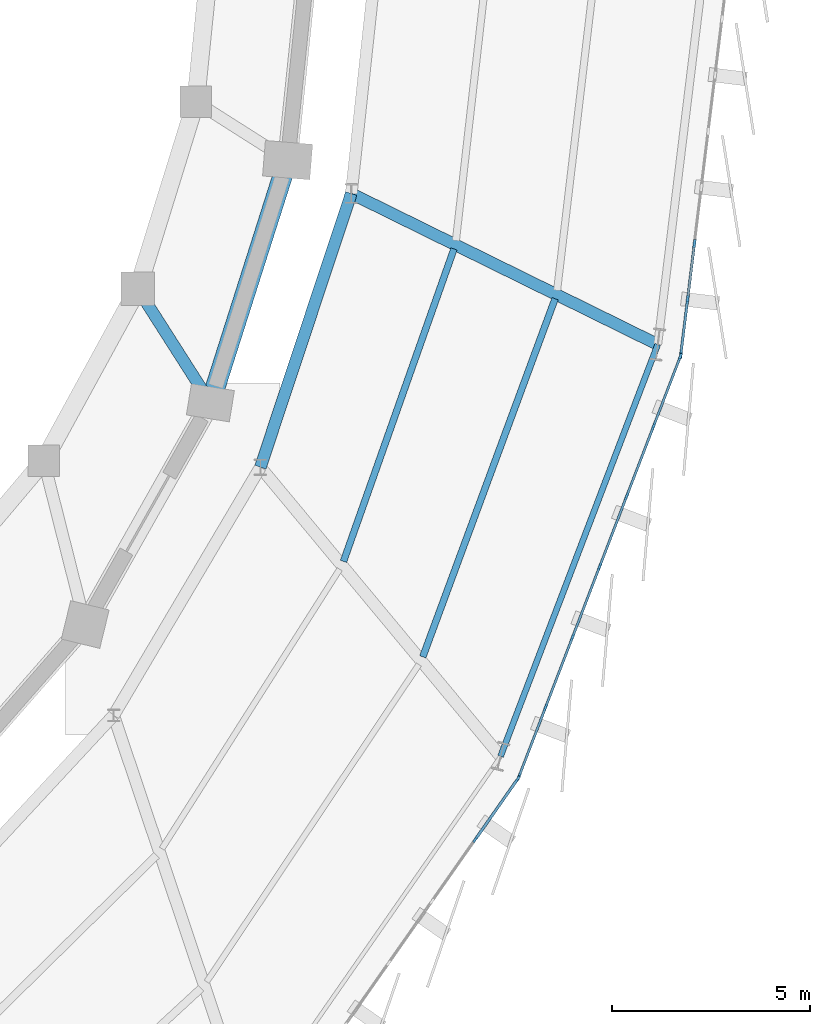
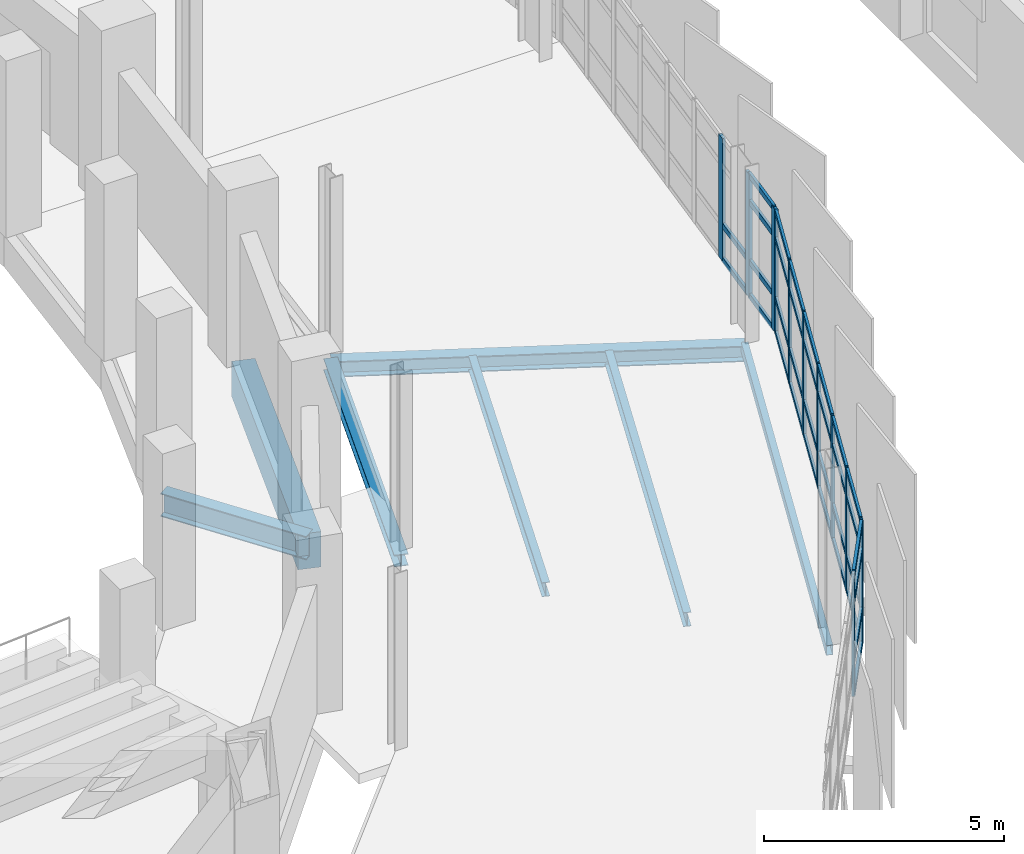
# One storey, part 63 of 120: 46 members, 7 beams, 3 elements without a shape of their own.
"""IFC4 building model written with IfcOpenShell, lengths in metres."""

import ifcopenshell
import ifcopenshell.guid

model = None  # the IFC model being written
_history = None  # IfcOwnerHistory: only IFC2X3 demands one
_inside = {}  # id of a spatial element -> (the spatial element, [elements in it])
_under = {}  # id of a project, library or spatial element -> (it, [spatial elements below it])
_declared = {}  # id of a project -> (the project, [libraries it declares])
_typed = {}  # id of a type object -> (the type object, [elements of that type])
_made_of = {}  # id of a material, layer set ... -> (it, [elements and type objects made of it])


def new_model(schema):
    """Start an empty IFC model of exactly this schema.

    Asked for "IFC4X3", IfcOpenShell would pick the latest addendum, in which some entities
    have other attributes; the version numbers below select the first issue.
    IFC2X3 requires an IfcOwnerHistory on every rooted entity: one is made here for all.
    """
    global model, _history
    if schema == "IFC4X3":
        model = ifcopenshell.file(schema_version=(4, 3, 0, 0))
    else:
        model = ifcopenshell.file(schema=schema)
    _inside.clear()
    _under.clear()
    _declared.clear()
    _typed.clear()
    _made_of.clear()
    _history = None
    if model.schema == "IFC2X3":
        org = make("IfcOrganization", Name="unknown")
        user = make(
            "IfcPersonAndOrganization",
            ThePerson=make("IfcPerson", FamilyName="unknown"),
            TheOrganization=org,
        )
        app = make(
            "IfcApplication",
            ApplicationDeveloper=org,
            Version="unknown",
            ApplicationFullName="unknown",
            ApplicationIdentifier="unknown",
        )
        _history = make(
            "IfcOwnerHistory",
            OwningUser=user,
            OwningApplication=app,
            ChangeAction="ADDED",
            CreationDate=0,
        )
    return model


def make(cls, **values):
    """One entity of the class cls with the attributes given. An attribute that is None is left unset."""
    return model.create_entity(
        cls, **{name: value for name, value in values.items() if value is not None}
    )


def rooted(cls, **values):
    """An entity with a GlobalId (a new one), such as an element, a storey or a relation."""
    return make(cls, GlobalId=ifcopenshell.guid.new(), OwnerHistory=_history, **values)


def si_unit(unit_type, name, prefix=None):
    """IfcSIUnit, for example si_unit("LENGTHUNIT", "METRE", prefix="MILLI")."""
    return make("IfcSIUnit", UnitType=unit_type, Prefix=prefix, Name=name)


def assignment(units):
    """IfcUnitAssignment: the units of a project."""
    return None if units is None else make("IfcUnitAssignment", Units=units)


def point(xyz):
    """IfcCartesianPoint."""
    return None if xyz is None else make("IfcCartesianPoint", Coordinates=xyz)


def direction(xyz):
    """IfcDirection."""
    return None if xyz is None else make("IfcDirection", DirectionRatios=xyz)


def frame(location, z_axis=None, x_axis=None):
    """IfcAxis2Placement3D, a coordinate frame: its origin and axes. An axis left out is left unset."""
    return make(
        "IfcAxis2Placement3D",
        Location=point(location),
        Axis=direction(z_axis),
        RefDirection=direction(x_axis),
    )


def frame_2d(location, x_axis=None):
    """IfcAxis2Placement2D, a coordinate frame in the plane: its origin and x axis."""
    return make(
        "IfcAxis2Placement2D", Location=point(location), RefDirection=direction(x_axis)
    )


def origin():
    """The frame at (0, 0, 0) with its axes left unset."""
    return frame((0.0, 0.0, 0.0))


def origin_2d():
    """The frame at (0, 0) in the plane with its x axis left unset."""
    return frame_2d((0.0, 0.0))


def place(relative_to, where):
    """IfcLocalPlacement: puts the frame where relative to a parent placement (None: the world)."""
    return make(
        "IfcLocalPlacement", PlacementRelTo=relative_to, RelativePlacement=where
    )


def context(
    kind, dimensions, precision=None, world=None, true_north=None, identifier=None
):
    """IfcGeometricRepresentationContext, for example the 3D "Model" context."""
    return make(
        "IfcGeometricRepresentationContext",
        ContextIdentifier=identifier,
        ContextType=kind,
        CoordinateSpaceDimension=dimensions,
        Precision=precision,
        WorldCoordinateSystem=world,
        TrueNorth=true_north,
    )


def subcontext(parent, identifier, kind, view, scale=None):
    """IfcGeometricRepresentationSubContext, for example "Body" below "Model"."""
    return make(
        "IfcGeometricRepresentationSubContext",
        ContextIdentifier=identifier,
        ContextType=kind,
        ParentContext=parent,
        TargetScale=scale,
        TargetView=view,
    )


def project(units=None, contexts=None):
    """IfcProject with its units and contexts."""
    return rooted(
        "IfcProject",
        Name="project",
        RepresentationContexts=contexts,
        UnitsInContext=assignment(units),
    )


def spatial(cls, under=None, at=None, **own):
    """A site, building, storey or space (cls), placed at a placement, below another one or the project."""
    s = rooted(cls, ObjectPlacement=at, **own)
    if under is not None:
        _under.setdefault(under.id(), (under, []))[1].append(s)
    return s


def profile(cls, at=None, kind="AREA", **sizes):
    """A parametric profile (cls). Its sizes go by their IFC names, for example OverallWidth=200.0."""
    return make(cls, ProfileType=kind, Position=at, **sizes)


def rectangle(**sizes):
    """IfcRectangleProfileDef."""
    return profile("IfcRectangleProfileDef", **sizes)


def hollow_rectangle(**sizes):
    """IfcRectangleHollowProfileDef."""
    return profile("IfcRectangleHollowProfileDef", **sizes)


def i_section(**sizes):
    """IfcIShapeProfileDef."""
    return profile("IfcIShapeProfileDef", **sizes)


def extrude(swept, where, along, depth):
    """IfcExtrudedAreaSolid: the profile swept, set in the frame where, extruded along a direction by depth."""
    return make(
        "IfcExtrudedAreaSolid",
        SweptArea=swept,
        Position=where,
        ExtrudedDirection=direction(along),
        Depth=depth,
    )


def shape(context_of_items, identifier, shape_type, items):
    """IfcShapeRepresentation: the items that make up one representation, for example the "Body"."""
    return make(
        "IfcShapeRepresentation",
        ContextOfItems=context_of_items,
        RepresentationIdentifier=identifier,
        RepresentationType=shape_type,
        Items=items,
    )


def material(Name=None, Category=None):
    """IfcMaterial."""
    return make("IfcMaterial", Name=Name, Category=Category)


def layer(
    of_material, thickness, ventilated=None, Name=None, Category=None, Priority=None
):
    """IfcMaterialLayer: one layer of a wall or slab, of a material (None: an air gap)."""
    return make(
        "IfcMaterialLayer",
        Material=of_material,
        LayerThickness=thickness,
        IsVentilated=ventilated,
        Name=Name,
        Category=Category,
        Priority=Priority,
    )


def layer_set(layers, Name=None):
    """IfcMaterialLayerSet."""
    return make("IfcMaterialLayerSet", MaterialLayers=layers, LayerSetName=Name)


def material_profile(
    of_material, cross_section, Name=None, Category=None, Priority=None
):
    """IfcMaterialProfile: a cross section and its material."""
    return make(
        "IfcMaterialProfile",
        Name=Name,
        Material=of_material,
        Profile=cross_section,
        Priority=Priority,
        Category=Category,
    )


def profile_set(profiles, Name=None, composite=None):
    """IfcMaterialProfileSet."""
    return make(
        "IfcMaterialProfileSet",
        Name=Name,
        MaterialProfiles=profiles,
        CompositeProfile=composite,
    )


def made_of(thing, what):
    """Note that an element or type object is made of a material, layer set ...; save() writes the relation."""
    if what is not None:
        _made_of.setdefault(what.id(), (what, []))[1].append(thing)
    return thing


def type_object(cls, material=None, **own):
    """A type object (cls), such as IfcWallType, which elements share."""
    return made_of(rooted(cls, **own), material)


def element(
    cls,
    number,
    at=None,
    inside=None,
    cuts=None,
    type_object=None,
    material=None,
    context=None,
    identifier="Body",
    shape_type=None,
    held_by="IfcProductDefinitionShape",
    body=None,
    shapes=None,
    **own,
):
    """One element of the class cls, such as IfcWall. Its Tag is "e" and its number.

    at: its placement. inside: the storey or other place that contains it. cuts: it is an
    opening in that element (IfcRelVoidsElement). A single representation is given by context,
    identifier, shape_type and body (its items); several are given by shapes. held_by: the class
    of the entity that holds the representations. save() writes the other relations.
    """
    e = rooted(cls, Tag="e%d" % number, ObjectPlacement=at, **own)
    if body is not None:
        shapes = [shape(context, identifier, shape_type, body)]
    if shapes is not None:
        e.Representation = make(held_by, Representations=shapes)
    if inside is not None:
        _inside.setdefault(inside.id(), (inside, []))[1].append(e)
    if cuts is not None:
        rooted(
            "IfcRelVoidsElement", RelatingBuildingElement=cuts, RelatedOpeningElement=e
        )
    if type_object is not None:
        _typed.setdefault(type_object.id(), (type_object, []))[1].append(e)
    return made_of(e, material)


def aggregate(whole, parts):
    """IfcRelAggregates: a whole, such as a stair, and the parts it consists of."""
    return rooted("IfcRelAggregates", RelatingObject=whole, RelatedObjects=parts)


def save(model, path):
    """Write the relations noted so far, then the file.

    IfcRelAggregates (storeys below a building ...), IfcRelContainedInSpatialStructure (elements
    in a storey), IfcRelDefinesByType, IfcRelAssociatesMaterial and IfcRelDeclares: one each for
    every whole, place, type object, material and project.
    """
    for whole, parts in _under.values():
        aggregate(whole, parts)
    for where, things in _inside.values():
        rooted(
            "IfcRelContainedInSpatialStructure",
            RelatedElements=things,
            RelatingStructure=where,
        )
    for kind, things in _typed.values():
        rooted("IfcRelDefinesByType", RelatedObjects=things, RelatingType=kind)
    for what, things in _made_of.values():
        rooted("IfcRelAssociatesMaterial", RelatedObjects=things, RelatingMaterial=what)
    for by, libraries in _declared.values():
        rooted("IfcRelDeclares", RelatingContext=by, RelatedDefinitions=libraries)
    model.write(path)


model = new_model("IFC4")

# Units and contexts
model_context = context("Model", 3, precision=1e-05, world=origin(), true_north=direction((0.0, 1.0)))
body_context = subcontext(model_context, "Body", "Model", "MODEL_VIEW")
ifc_project = project(units=[si_unit("LENGTHUNIT", "METRE"), si_unit("AREAUNIT", "SQUARE_METRE"), si_unit("VOLUMEUNIT", "CUBIC_METRE"), si_unit("PLANEANGLEUNIT", "RADIAN"), si_unit("MASSUNIT", "GRAM", prefix="KILO")], contexts=[model_context])

# Site, building, storey
site_placement = place(None, origin())
site = spatial("IfcSite", under=ifc_project, at=site_placement, CompositionType="ELEMENT")
building_placement = place(site_placement, origin())
building = spatial("IfcBuilding", under=site, at=building_placement, Name="Sohan Crest Arena", CompositionType="ELEMENT")
storey_placement = place(building_placement, frame((0.0, 0.0, 13.5)))
storey = spatial("IfcBuildingStorey", under=building, at=storey_placement, Name="L03", CompositionType="ELEMENT", Elevation=13.5)

# Curtain wall, members
ifc_material_1 = material(Name="Thermally broken anodised aluminium", Category="aluminium")
ifc_layer_1 = layer(ifc_material_1, 0.219970703125, Name="Thermally broken anodised aluminium")
ifc_layer_set_1 = layer_set([ifc_layer_1], Name="Thermally broken anodised aluminium")
curtain_wall_type_1 = type_object("IfcCurtainWallType", Name="ARC-CW03", PredefinedType="NOTDEFINED", material=ifc_layer_set_1)
curtain_wall_1_placement = place(storey_placement, origin())
curtain_wall_1 = element("IfcCurtainWall", 1, at=curtain_wall_1_placement, inside=storey, type_object=curtain_wall_type_1, Name="Unitised curtain wall CW-098", PredefinedType="NOTDEFINED")
ifc_material_profile_1 = material_profile(ifc_material_1, rectangle(XDim=0.06005859375, YDim=0.159912109375, at=origin_2d()), Name="ALU-MULL 60x160")
ifc_profile_set_1 = profile_set([ifc_material_profile_1], Name="Thermally broken anodised aluminium")
member_type_1 = type_object("IfcMemberType", Name="ARC-CW-ML01", PredefinedType="MULLION", material=ifc_profile_set_1)
member_1_placement = place(storey_placement, frame((182.10888671875, 54.40576171875, 0.0), z_axis=(0.0, 0.0, 1.0), x_axis=(-0.818899102687, 0.573937504976, 0.0)))
member_1 = element("IfcMember", 2, at=member_1_placement, type_object=member_type_1, Name="CW-098 mullion 6", PredefinedType="MULLION", context=body_context, shape_type="SweptSolid", body=[
    extrude(rectangle(XDim=0.06005859375, YDim=0.159912109375, at=origin_2d()), origin(), (0.0, 0.0, 1.0), 3.1201171875),
])
member_2_placement = place(storey_placement, frame((183.185791015625, 55.9423828125, 0.0), z_axis=(0.0, 0.0, 1.0), x_axis=(-0.818899102687, 0.573937504976, 0.0)))
member_2 = element("IfcMember", 3, at=member_2_placement, type_object=member_type_1, Name="CW-098 mullion 7", PredefinedType="MULLION", context=body_context, shape_type="SweptSolid", body=[
    extrude(rectangle(XDim=0.06005859375, YDim=0.159912109375, at=origin_2d()), origin(), (0.0, 0.0, 1.0), 3.1201171875),
])

ifc_layer_2 = layer(ifc_material_1, 0.239990234375, Name="Thermally broken anodised aluminium")
ifc_layer_set_2 = layer_set([ifc_layer_2], Name="Thermally broken anodised aluminium")
curtain_wall_type_2 = type_object("IfcCurtainWallType", Name="ARC-CW04", PredefinedType="NOTDEFINED", material=ifc_layer_set_2)
curtain_wall_2_placement = place(storey_placement, origin())
curtain_wall_2 = element("IfcCurtainWall", 4, at=curtain_wall_2_placement, inside=storey, type_object=curtain_wall_type_2, Name="Unitised curtain wall CW-099", PredefinedType="NOTDEFINED")
ifc_material_profile_2 = material_profile(ifc_material_1, rectangle(XDim=0.06494140625, YDim=0.179931640625, at=origin_2d()), Name="ALU-MULL 65x180")
ifc_profile_set_2 = profile_set([ifc_material_profile_2], Name="Thermally broken anodised aluminium")
member_type_2 = type_object("IfcMemberType", Name="ARC-CW-ML02", PredefinedType="MULLION", material=ifc_profile_set_2)
member_3_placement = place(storey_placement, frame((183.214599609375, 55.997314453125, 0.0), z_axis=(0.0, 0.0, 1.0), x_axis=(-0.93347171007, 0.35865103722, 0.0)))
member_3 = element("IfcMember", 5, at=member_3_placement, type_object=member_type_2, Name="CW-099 mullion 1", PredefinedType="MULLION", context=body_context, shape_type="SweptSolid", body=[
    extrude(rectangle(XDim=0.06494140625, YDim=0.179931640625, at=origin_2d()), origin(), (0.0, 0.0, 1.0), 3.1201171875),
])
member_4_placement = place(storey_placement, frame((183.88671875, 57.746826171875, 0.0), z_axis=(0.0, 0.0, 1.0), x_axis=(-0.93347171007, 0.35865103722, 0.0)))
member_4 = element("IfcMember", 6, at=member_4_placement, type_object=member_type_2, Name="CW-099 mullion 2", PredefinedType="MULLION", context=body_context, shape_type="SweptSolid", body=[
    extrude(rectangle(XDim=0.06494140625, YDim=0.179931640625, at=origin_2d()), origin(), (0.0, 0.0, 1.0), 3.1201171875),
])
member_5_placement = place(storey_placement, frame((184.570556640625, 59.526611328125, 0.0), z_axis=(0.0, 0.0, 1.0), x_axis=(-0.93347171007, 0.35865103722, 0.0)))
member_5 = element("IfcMember", 7, at=member_5_placement, type_object=member_type_2, Name="CW-099 mullion 3", PredefinedType="MULLION", context=body_context, shape_type="SweptSolid", body=[
    extrude(rectangle(XDim=0.06494140625, YDim=0.179931640625, at=origin_2d()), origin(), (0.0, 0.0, 1.0), 3.1201171875),
])
member_6_placement = place(storey_placement, frame((185.25439453125, 61.306396484375, 0.0), z_axis=(0.0, 0.0, 1.0), x_axis=(-0.93347171007, 0.35865103722, 0.0)))
member_6 = element("IfcMember", 8, at=member_6_placement, type_object=member_type_2, Name="CW-099 mullion 4", PredefinedType="MULLION", context=body_context, shape_type="SweptSolid", body=[
    extrude(rectangle(XDim=0.06494140625, YDim=0.179931640625, at=origin_2d()), origin(), (0.0, 0.0, 1.0), 3.1201171875),
])
member_7_placement = place(storey_placement, frame((185.938232421875, 63.08642578125, 0.0), z_axis=(0.0, 0.0, 1.0), x_axis=(-0.93347171007, 0.35865103722, 0.0)))
member_7 = element("IfcMember", 9, at=member_7_placement, type_object=member_type_2, Name="CW-099 mullion 5", PredefinedType="MULLION", context=body_context, shape_type="SweptSolid", body=[
    extrude(rectangle(XDim=0.06494140625, YDim=0.179931640625, at=origin_2d()), origin(), (0.0, 0.0, 1.0), 3.1201171875),
])
member_8_placement = place(storey_placement, frame((186.6220703125, 64.8662109375, 0.0), z_axis=(0.0, 0.0, 1.0), x_axis=(-0.93347171007, 0.35865103722, 0.0)))
member_8 = element("IfcMember", 10, at=member_8_placement, type_object=member_type_2, Name="CW-099 mullion 6", PredefinedType="MULLION", context=body_context, shape_type="SweptSolid", body=[
    extrude(rectangle(XDim=0.06494140625, YDim=0.179931640625, at=origin_2d()), origin(), (0.0, 0.0, 1.0), 3.1201171875),
])
member_9_placement = place(storey_placement, frame((187.29443359375, 66.61572265625, 0.0), z_axis=(0.0, 0.0, 1.0), x_axis=(-0.93347171007, 0.35865103722, 0.0)))
member_9 = element("IfcMember", 11, at=member_9_placement, type_object=member_type_2, Name="CW-099 mullion 7", PredefinedType="MULLION", context=body_context, shape_type="SweptSolid", body=[
    extrude(rectangle(XDim=0.06494140625, YDim=0.179931640625, at=origin_2d()), origin(), (0.0, 0.0, 1.0), 3.1201171875),
])

ifc_layer_3 = layer(ifc_material_1, 0.18994140625, Name="Thermally broken anodised aluminium")
ifc_layer_set_3 = layer_set([ifc_layer_3], Name="Thermally broken anodised aluminium")
curtain_wall_type_3 = type_object("IfcCurtainWallType", Name="ARC-CW05", PredefinedType="NOTDEFINED", material=ifc_layer_set_3)
curtain_wall_3_placement = place(storey_placement, origin())
curtain_wall_3 = element("IfcCurtainWall", 12, at=curtain_wall_3_placement, inside=storey, type_object=curtain_wall_type_3, Name="Unitised curtain wall CW-100", PredefinedType="NOTDEFINED")
ifc_material_profile_3 = material_profile(ifc_material_1, rectangle(XDim=0.070068359375, YDim=0.199951171875, at=origin_2d()), Name="ALU-MULL 70x200")
ifc_profile_set_3 = profile_set([ifc_material_profile_3], Name="Thermally broken anodised aluminium")
member_type_3 = type_object("IfcMemberType", Name="ARC-CW-ML03", PredefinedType="MULLION", material=ifc_profile_set_3)
member_10_placement = place(storey_placement, frame((187.310302734375, 66.6806640625, 0.0), z_axis=(0.0, 0.0, 1.0), x_axis=(-0.992536588605, 0.121947202838, 0.0)))
member_10 = element("IfcMember", 13, at=member_10_placement, type_object=member_type_3, Name="CW-100 mullion 1", PredefinedType="MULLION", context=body_context, shape_type="SweptSolid", body=[
    extrude(rectangle(XDim=0.070068359375, YDim=0.199951171875, at=origin_2d()), origin(), (0.0, 0.0, 1.0), 3.1201171875),
])
member_11_placement = place(storey_placement, frame((187.48046875, 68.065185546875, 0.0), z_axis=(0.0, 0.0, 1.0), x_axis=(-0.992536588605, 0.121947202838, 0.0)))
member_11 = element("IfcMember", 14, at=member_11_placement, type_object=member_type_3, Name="CW-100 mullion 2", PredefinedType="MULLION", context=body_context, shape_type="SweptSolid", body=[
    extrude(rectangle(XDim=0.070068359375, YDim=0.199951171875, at=origin_2d()), origin(), (0.0, 0.0, 1.0), 3.1201171875),
])
member_12_placement = place(storey_placement, frame((187.65478515625, 69.484619140625, 0.0), z_axis=(0.0, 0.0, 1.0), x_axis=(-0.992536588605, 0.121947202838, 0.0)))
member_12 = element("IfcMember", 15, at=member_12_placement, type_object=member_type_3, Name="CW-100 mullion 3", PredefinedType="MULLION", context=body_context, shape_type="SweptSolid", body=[
    extrude(rectangle(XDim=0.070068359375, YDim=0.199951171875, at=origin_2d()), origin(), (0.0, 0.0, 1.0), 3.1201171875),
])

# Member
ifc_material_profile_4 = material_profile(ifc_material_1, rectangle(XDim=0.06005859375, YDim=0.1201171875, at=origin_2d()), Name="ALU-TRAN 60x120")
ifc_profile_set_4 = profile_set([ifc_material_profile_4], Name="Thermally broken anodised aluminium")
member_type_4 = type_object("IfcMemberType", Name="ARC-CW-TR01", PredefinedType="USERDEFINED", material=ifc_profile_set_4)
member_13_placement = place(storey_placement, frame((183.226318359375, 56.027587890625, 0.030029296875), z_axis=(0.358653547521, 0.933470745578, 0.0), x_axis=(-0.933470745578, 0.358653547521, 0.0)))
member_13 = element("IfcMember", 16, at=member_13_placement, type_object=member_type_4, Name="CW-099 transom 1.1", ObjectType="TRANSOM", PredefinedType="USERDEFINED", context=body_context, shape_type="SweptSolid", body=[
    extrude(rectangle(XDim=0.06005859375, YDim=0.1201171875, at=origin_2d()), origin(), (0.0, 0.0, 1.0), 1.809326171875),
])

member_14_placement = place(storey_placement, frame((183.226318359375, 56.027587890625, 0.89990234375), z_axis=(0.358653547521, 0.933470745578, 0.0), x_axis=(-0.933470745578, 0.358653547521, 0.0)))
member_14 = element("IfcMember", 17, at=member_14_placement, type_object=member_type_4, Name="CW-099 transom 1.2", ObjectType="TRANSOM", PredefinedType="USERDEFINED", context=body_context, shape_type="SweptSolid", body=[
    extrude(rectangle(XDim=0.06005859375, YDim=0.1201171875, at=origin_2d()), origin(), (0.0, 0.0, 1.0), 1.809326171875),
])

member_15_placement = place(storey_placement, frame((183.226318359375, 56.027587890625, 2.419921875), z_axis=(0.358653547521, 0.933470745578, 0.0), x_axis=(-0.933470745578, 0.358653547521, 0.0)))
member_15 = element("IfcMember", 18, at=member_15_placement, type_object=member_type_4, Name="CW-099 transom 1.3", ObjectType="TRANSOM", PredefinedType="USERDEFINED", context=body_context, shape_type="SweptSolid", body=[
    extrude(rectangle(XDim=0.06005859375, YDim=0.1201171875, at=origin_2d()), origin(), (0.0, 0.0, 1.0), 1.809326171875),
])

member_16_placement = place(storey_placement, frame((183.226318359375, 56.027587890625, 3.090087890625), z_axis=(0.358653547521, 0.933470745578, 0.0), x_axis=(-0.933470745578, 0.358653547521, 0.0)))
member_16 = element("IfcMember", 19, at=member_16_placement, type_object=member_type_4, Name="CW-099 transom 1.4", ObjectType="TRANSOM", PredefinedType="USERDEFINED", context=body_context, shape_type="SweptSolid", body=[
    extrude(rectangle(XDim=0.06005859375, YDim=0.1201171875, at=origin_2d()), origin(), (0.0, 0.0, 1.0), 1.809326171875),
])

member_17_placement = place(storey_placement, frame((183.8984375, 57.777099609375, 0.030029296875), z_axis=(0.358694820228, 0.933454886934, 0.0), x_axis=(-0.933454886934, 0.358694820228, 0.0)))
member_17 = element("IfcMember", 20, at=member_17_placement, type_object=member_type_4, Name="CW-099 transom 2.1", ObjectType="TRANSOM", PredefinedType="USERDEFINED", context=body_context, shape_type="SweptSolid", body=[
    extrude(rectangle(XDim=0.06005859375, YDim=0.1201171875, at=origin_2d()), origin(), (0.0, 0.0, 1.0), 1.841796875),
])

member_18_placement = place(storey_placement, frame((183.8984375, 57.777099609375, 0.89990234375), z_axis=(0.358694820228, 0.933454886934, 0.0), x_axis=(-0.933454886934, 0.358694820228, 0.0)))
member_18 = element("IfcMember", 21, at=member_18_placement, type_object=member_type_4, Name="CW-099 transom 2.2", ObjectType="TRANSOM", PredefinedType="USERDEFINED", context=body_context, shape_type="SweptSolid", body=[
    extrude(rectangle(XDim=0.06005859375, YDim=0.1201171875, at=origin_2d()), origin(), (0.0, 0.0, 1.0), 1.841796875),
])

member_19_placement = place(storey_placement, frame((183.8984375, 57.777099609375, 2.419921875), z_axis=(0.358694820228, 0.933454886934, 0.0), x_axis=(-0.933454886934, 0.358694820228, 0.0)))
member_19 = element("IfcMember", 22, at=member_19_placement, type_object=member_type_4, Name="CW-099 transom 2.3", ObjectType="TRANSOM", PredefinedType="USERDEFINED", context=body_context, shape_type="SweptSolid", body=[
    extrude(rectangle(XDim=0.06005859375, YDim=0.1201171875, at=origin_2d()), origin(), (0.0, 0.0, 1.0), 1.841796875),
])

member_20_placement = place(storey_placement, frame((183.8984375, 57.777099609375, 3.090087890625), z_axis=(0.358694820228, 0.933454886934, 0.0), x_axis=(-0.933454886934, 0.358694820228, 0.0)))
member_20 = element("IfcMember", 23, at=member_20_placement, type_object=member_type_4, Name="CW-099 transom 2.4", ObjectType="TRANSOM", PredefinedType="USERDEFINED", context=body_context, shape_type="SweptSolid", body=[
    extrude(rectangle(XDim=0.06005859375, YDim=0.1201171875, at=origin_2d()), origin(), (0.0, 0.0, 1.0), 1.841796875),
])

member_21_placement = place(storey_placement, frame((184.582275390625, 59.556884765625, 0.030029296875), z_axis=(0.358694820228, 0.933454886934, 0.0), x_axis=(-0.933454886934, 0.358694820228, 0.0)))
member_21 = element("IfcMember", 24, at=member_21_placement, type_object=member_type_4, Name="CW-099 transom 3.1", ObjectType="TRANSOM", PredefinedType="USERDEFINED", context=body_context, shape_type="SweptSolid", body=[
    extrude(rectangle(XDim=0.06005859375, YDim=0.1201171875, at=origin_2d()), origin(), (0.0, 0.0, 1.0), 1.841796875),
])

member_22_placement = place(storey_placement, frame((184.582275390625, 59.556884765625, 0.89990234375), z_axis=(0.358694820228, 0.933454886934, 0.0), x_axis=(-0.933454886934, 0.358694820228, 0.0)))
member_22 = element("IfcMember", 25, at=member_22_placement, type_object=member_type_4, Name="CW-099 transom 3.2", ObjectType="TRANSOM", PredefinedType="USERDEFINED", context=body_context, shape_type="SweptSolid", body=[
    extrude(rectangle(XDim=0.06005859375, YDim=0.1201171875, at=origin_2d()), origin(), (0.0, 0.0, 1.0), 1.841796875),
])

member_23_placement = place(storey_placement, frame((184.582275390625, 59.556884765625, 2.419921875), z_axis=(0.358694820228, 0.933454886934, 0.0), x_axis=(-0.933454886934, 0.358694820228, 0.0)))
member_23 = element("IfcMember", 26, at=member_23_placement, type_object=member_type_4, Name="CW-099 transom 3.3", ObjectType="TRANSOM", PredefinedType="USERDEFINED", context=body_context, shape_type="SweptSolid", body=[
    extrude(rectangle(XDim=0.06005859375, YDim=0.1201171875, at=origin_2d()), origin(), (0.0, 0.0, 1.0), 1.841796875),
])

member_24_placement = place(storey_placement, frame((184.582275390625, 59.556884765625, 3.090087890625), z_axis=(0.358694820228, 0.933454886934, 0.0), x_axis=(-0.933454886934, 0.358694820228, 0.0)))
member_24 = element("IfcMember", 27, at=member_24_placement, type_object=member_type_4, Name="CW-099 transom 3.4", ObjectType="TRANSOM", PredefinedType="USERDEFINED", context=body_context, shape_type="SweptSolid", body=[
    extrude(rectangle(XDim=0.06005859375, YDim=0.1201171875, at=origin_2d()), origin(), (0.0, 0.0, 1.0), 1.841796875),
])

member_25_placement = place(storey_placement, frame((185.26611328125, 61.3369140625, 0.030029296875), z_axis=(0.358739208222, 0.933437828933, 0.0), x_axis=(-0.933437828933, 0.358739208222, 0.0)))
member_25 = element("IfcMember", 28, at=member_25_placement, type_object=member_type_4, Name="CW-099 transom 4.1", ObjectType="TRANSOM", PredefinedType="USERDEFINED", context=body_context, shape_type="SweptSolid", body=[
    extrude(rectangle(XDim=0.06005859375, YDim=0.1201171875, at=origin_2d()), origin(), (0.0, 0.0, 1.0), 1.841552734375),
])

member_26_placement = place(storey_placement, frame((185.26611328125, 61.3369140625, 0.89990234375), z_axis=(0.358739208222, 0.933437828933, 0.0), x_axis=(-0.933437828933, 0.358739208222, 0.0)))
member_26 = element("IfcMember", 29, at=member_26_placement, type_object=member_type_4, Name="CW-099 transom 4.2", ObjectType="TRANSOM", PredefinedType="USERDEFINED", context=body_context, shape_type="SweptSolid", body=[
    extrude(rectangle(XDim=0.06005859375, YDim=0.1201171875, at=origin_2d()), origin(), (0.0, 0.0, 1.0), 1.841552734375),
])

member_27_placement = place(storey_placement, frame((185.26611328125, 61.3369140625, 2.419921875), z_axis=(0.358739208222, 0.933437828933, 0.0), x_axis=(-0.933437828933, 0.358739208222, 0.0)))
member_27 = element("IfcMember", 30, at=member_27_placement, type_object=member_type_4, Name="CW-099 transom 4.3", ObjectType="TRANSOM", PredefinedType="USERDEFINED", context=body_context, shape_type="SweptSolid", body=[
    extrude(rectangle(XDim=0.06005859375, YDim=0.1201171875, at=origin_2d()), origin(), (0.0, 0.0, 1.0), 1.841552734375),
])

member_28_placement = place(storey_placement, frame((185.26611328125, 61.3369140625, 3.090087890625), z_axis=(0.358739208222, 0.933437828933, 0.0), x_axis=(-0.933437828933, 0.358739208222, 0.0)))
member_28 = element("IfcMember", 31, at=member_28_placement, type_object=member_type_4, Name="CW-099 transom 4.4", ObjectType="TRANSOM", PredefinedType="USERDEFINED", context=body_context, shape_type="SweptSolid", body=[
    extrude(rectangle(XDim=0.06005859375, YDim=0.1201171875, at=origin_2d()), origin(), (0.0, 0.0, 1.0), 1.841552734375),
])

member_29_placement = place(storey_placement, frame((185.949951171875, 63.11669921875, 0.030029296875), z_axis=(0.358694820228, 0.933454886934, 0.0), x_axis=(-0.933454886934, 0.358694820228, 0.0)))
member_29 = element("IfcMember", 32, at=member_29_placement, type_object=member_type_4, Name="CW-099 transom 5.1", ObjectType="TRANSOM", PredefinedType="USERDEFINED", context=body_context, shape_type="SweptSolid", body=[
    extrude(rectangle(XDim=0.06005859375, YDim=0.1201171875, at=origin_2d()), origin(), (0.0, 0.0, 1.0), 1.841796875),
])

member_30_placement = place(storey_placement, frame((185.949951171875, 63.11669921875, 0.89990234375), z_axis=(0.358694820228, 0.933454886934, 0.0), x_axis=(-0.933454886934, 0.358694820228, 0.0)))
member_30 = element("IfcMember", 33, at=member_30_placement, type_object=member_type_4, Name="CW-099 transom 5.2", ObjectType="TRANSOM", PredefinedType="USERDEFINED", context=body_context, shape_type="SweptSolid", body=[
    extrude(rectangle(XDim=0.06005859375, YDim=0.1201171875, at=origin_2d()), origin(), (0.0, 0.0, 1.0), 1.841796875),
])

member_31_placement = place(storey_placement, frame((185.949951171875, 63.11669921875, 2.419921875), z_axis=(0.358694820228, 0.933454886934, 0.0), x_axis=(-0.933454886934, 0.358694820228, 0.0)))
member_31 = element("IfcMember", 34, at=member_31_placement, type_object=member_type_4, Name="CW-099 transom 5.3", ObjectType="TRANSOM", PredefinedType="USERDEFINED", context=body_context, shape_type="SweptSolid", body=[
    extrude(rectangle(XDim=0.06005859375, YDim=0.1201171875, at=origin_2d()), origin(), (0.0, 0.0, 1.0), 1.841796875),
])

member_32_placement = place(storey_placement, frame((185.949951171875, 63.11669921875, 3.090087890625), z_axis=(0.358694820228, 0.933454886934, 0.0), x_axis=(-0.933454886934, 0.358694820228, 0.0)))
member_32 = element("IfcMember", 35, at=member_32_placement, type_object=member_type_4, Name="CW-099 transom 5.4", ObjectType="TRANSOM", PredefinedType="USERDEFINED", context=body_context, shape_type="SweptSolid", body=[
    extrude(rectangle(XDim=0.06005859375, YDim=0.1201171875, at=origin_2d()), origin(), (0.0, 0.0, 1.0), 1.841796875),
])

member_33_placement = place(storey_placement, frame((186.6337890625, 64.896484375, 0.030029296875), z_axis=(0.358698727566, 0.933453385468, 0.0), x_axis=(-0.933453385468, 0.358698727566, 0.0)))
member_33 = element("IfcMember", 36, at=member_33_placement, type_object=member_type_4, Name="CW-099 transom 6.1", ObjectType="TRANSOM", PredefinedType="USERDEFINED", context=body_context, shape_type="SweptSolid", body=[
    extrude(rectangle(XDim=0.06005859375, YDim=0.1201171875, at=origin_2d()), origin(), (0.0, 0.0, 1.0), 1.80908203125),
])

member_34_placement = place(storey_placement, frame((186.6337890625, 64.896484375, 0.89990234375), z_axis=(0.358698727566, 0.933453385468, 0.0), x_axis=(-0.933453385468, 0.358698727566, 0.0)))
member_34 = element("IfcMember", 37, at=member_34_placement, type_object=member_type_4, Name="CW-099 transom 6.2", ObjectType="TRANSOM", PredefinedType="USERDEFINED", context=body_context, shape_type="SweptSolid", body=[
    extrude(rectangle(XDim=0.06005859375, YDim=0.1201171875, at=origin_2d()), origin(), (0.0, 0.0, 1.0), 1.80908203125),
])

member_35_placement = place(storey_placement, frame((186.6337890625, 64.896484375, 2.419921875), z_axis=(0.358698727566, 0.933453385468, 0.0), x_axis=(-0.933453385468, 0.358698727566, 0.0)))
member_35 = element("IfcMember", 38, at=member_35_placement, type_object=member_type_4, Name="CW-099 transom 6.3", ObjectType="TRANSOM", PredefinedType="USERDEFINED", context=body_context, shape_type="SweptSolid", body=[
    extrude(rectangle(XDim=0.06005859375, YDim=0.1201171875, at=origin_2d()), origin(), (0.0, 0.0, 1.0), 1.80908203125),
])

member_36_placement = place(storey_placement, frame((186.6337890625, 64.896484375, 3.090087890625), z_axis=(0.358698727566, 0.933453385468, 0.0), x_axis=(-0.933453385468, 0.358698727566, 0.0)))
member_36 = element("IfcMember", 39, at=member_36_placement, type_object=member_type_4, Name="CW-099 transom 6.4", ObjectType="TRANSOM", PredefinedType="USERDEFINED", context=body_context, shape_type="SweptSolid", body=[
    extrude(rectangle(XDim=0.06005859375, YDim=0.1201171875, at=origin_2d()), origin(), (0.0, 0.0, 1.0), 1.80908203125),
])

aggregate(curtain_wall_2, [member_3, member_4, member_5, member_6, member_7, member_8, member_9, member_13, member_14, member_15, member_16, member_17, member_18, member_19, member_20, member_21, member_22, member_23, member_24, member_25, member_26, member_27, member_28, member_29, member_30, member_31, member_32, member_33, member_34, member_35, member_36])

ifc_material_profile_5 = material_profile(ifc_material_1, rectangle(XDim=0.06494140625, YDim=0.139892578125, at=origin_2d()), Name="ALU-TRAN 65x140")
ifc_profile_set_5 = profile_set([ifc_material_profile_5], Name="Thermally broken anodised aluminium")
member_type_5 = type_object("IfcMemberType", Name="ARC-CW-TR02", PredefinedType="USERDEFINED", material=ifc_profile_set_5)
member_37_placement = place(storey_placement, frame((187.314453125, 66.715576171875, 0.032470703125), z_axis=(0.121993219115, 0.99253093377, 0.0), x_axis=(-0.99253093377, 0.121993219115, 0.0)))
member_37 = element("IfcMember", 40, at=member_37_placement, type_object=member_type_5, Name="CW-100 transom 1.1", ObjectType="TRANSOM", PredefinedType="USERDEFINED", context=body_context, shape_type="SweptSolid", body=[
    extrude(rectangle(XDim=0.06494140625, YDim=0.139892578125, at=origin_2d()), origin(), (0.0, 0.0, 1.0), 1.324951171875),
])

member_38_placement = place(storey_placement, frame((187.314453125, 66.715576171875, 0.89990234375), z_axis=(0.121993219115, 0.99253093377, 0.0), x_axis=(-0.99253093377, 0.121993219115, 0.0)))
member_38 = element("IfcMember", 41, at=member_38_placement, type_object=member_type_5, Name="CW-100 transom 1.2", ObjectType="TRANSOM", PredefinedType="USERDEFINED", context=body_context, shape_type="SweptSolid", body=[
    extrude(rectangle(XDim=0.06494140625, YDim=0.139892578125, at=origin_2d()), origin(), (0.0, 0.0, 1.0), 1.324951171875),
])

member_39_placement = place(storey_placement, frame((187.314453125, 66.715576171875, 2.419921875), z_axis=(0.121993219115, 0.99253093377, 0.0), x_axis=(-0.99253093377, 0.121993219115, 0.0)))
member_39 = element("IfcMember", 42, at=member_39_placement, type_object=member_type_5, Name="CW-100 transom 1.3", ObjectType="TRANSOM", PredefinedType="USERDEFINED", context=body_context, shape_type="SweptSolid", body=[
    extrude(rectangle(XDim=0.06494140625, YDim=0.139892578125, at=origin_2d()), origin(), (0.0, 0.0, 1.0), 1.324951171875),
])

member_40_placement = place(storey_placement, frame((187.314453125, 66.715576171875, 3.08740234375), z_axis=(0.121993219115, 0.99253093377, 0.0), x_axis=(-0.99253093377, 0.121993219115, 0.0)))
member_40 = element("IfcMember", 43, at=member_40_placement, type_object=member_type_5, Name="CW-100 transom 1.4", ObjectType="TRANSOM", PredefinedType="USERDEFINED", context=body_context, shape_type="SweptSolid", body=[
    extrude(rectangle(XDim=0.06494140625, YDim=0.139892578125, at=origin_2d()), origin(), (0.0, 0.0, 1.0), 1.324951171875),
])

member_41_placement = place(storey_placement, frame((187.484619140625, 68.10009765625, 0.032470703125), z_axis=(0.121913023634, 0.992540787408, 0.0), x_axis=(-0.992540787408, 0.121913023634, 0.0)))
member_41 = element("IfcMember", 44, at=member_41_placement, type_object=member_type_5, Name="CW-100 transom 2.1", ObjectType="TRANSOM", PredefinedType="USERDEFINED", context=body_context, shape_type="SweptSolid", body=[
    extrude(rectangle(XDim=0.06494140625, YDim=0.139892578125, at=origin_2d()), origin(), (0.0, 0.0, 1.0), 1.35986328125),
])

member_42_placement = place(storey_placement, frame((187.484619140625, 68.10009765625, 0.89990234375), z_axis=(0.121913023634, 0.992540787408, 0.0), x_axis=(-0.992540787408, 0.121913023634, 0.0)))
member_42 = element("IfcMember", 45, at=member_42_placement, type_object=member_type_5, Name="CW-100 transom 2.2", ObjectType="TRANSOM", PredefinedType="USERDEFINED", context=body_context, shape_type="SweptSolid", body=[
    extrude(rectangle(XDim=0.06494140625, YDim=0.139892578125, at=origin_2d()), origin(), (0.0, 0.0, 1.0), 1.35986328125),
])

aggregate(curtain_wall_3, [member_10, member_11, member_12, member_37, member_38, member_39, member_40, member_41, member_42])

ifc_material_profile_6 = material_profile(ifc_material_1, rectangle(XDim=0.070068359375, YDim=0.14990234375, at=origin_2d()), Name="ALU-TRAN 70x150")
ifc_profile_set_6 = profile_set([ifc_material_profile_6], Name="Thermally broken anodised aluminium")
member_type_6 = type_object("IfcMemberType", Name="ARC-CW-TR03", PredefinedType="USERDEFINED", material=ifc_profile_set_6)
member_43_placement = place(storey_placement, frame((182.1259765625, 54.430419921875, 0.034912109375), z_axis=(0.573904259998, 0.818922401913, 0.0), x_axis=(-0.818922401913, 0.573904259998, 0.0)))
member_43 = element("IfcMember", 46, at=member_43_placement, type_object=member_type_6, Name="CW-098 transom 6.1", ObjectType="TRANSOM", PredefinedType="USERDEFINED", context=body_context, shape_type="SweptSolid", body=[
    extrude(rectangle(XDim=0.070068359375, YDim=0.14990234375, at=origin_2d()), origin(), (0.0, 0.0, 1.0), 1.81640625),
])

member_44_placement = place(storey_placement, frame((182.1259765625, 54.430419921875, 0.89990234375), z_axis=(0.573904259998, 0.818922401913, 0.0), x_axis=(-0.818922401913, 0.573904259998, 0.0)))
member_44 = element("IfcMember", 47, at=member_44_placement, type_object=member_type_6, Name="CW-098 transom 6.2", ObjectType="TRANSOM", PredefinedType="USERDEFINED", context=body_context, shape_type="SweptSolid", body=[
    extrude(rectangle(XDim=0.070068359375, YDim=0.14990234375, at=origin_2d()), origin(), (0.0, 0.0, 1.0), 1.81640625),
])

member_45_placement = place(storey_placement, frame((182.1259765625, 54.430419921875, 2.419921875), z_axis=(0.573904259998, 0.818922401913, 0.0), x_axis=(-0.818922401913, 0.573904259998, 0.0)))
member_45 = element("IfcMember", 48, at=member_45_placement, type_object=member_type_6, Name="CW-098 transom 6.3", ObjectType="TRANSOM", PredefinedType="USERDEFINED", context=body_context, shape_type="SweptSolid", body=[
    extrude(rectangle(XDim=0.070068359375, YDim=0.14990234375, at=origin_2d()), origin(), (0.0, 0.0, 1.0), 1.81640625),
])

member_46_placement = place(storey_placement, frame((182.1259765625, 54.430419921875, 3.0849609375), z_axis=(0.573904259998, 0.818922401913, 0.0), x_axis=(-0.818922401913, 0.573904259998, 0.0)))
member_46 = element("IfcMember", 49, at=member_46_placement, type_object=member_type_6, Name="CW-098 transom 6.4", ObjectType="TRANSOM", PredefinedType="USERDEFINED", context=body_context, shape_type="SweptSolid", body=[
    extrude(rectangle(XDim=0.070068359375, YDim=0.14990234375, at=origin_2d()), origin(), (0.0, 0.0, 1.0), 1.81640625),
])

aggregate(curtain_wall_1, [member_1, member_2, member_43, member_44, member_45, member_46])

# Beams
ifc_material_2 = material(Name="Steel S355", Category="steel")
ifc_material_profile_7 = material_profile(ifc_material_2, i_section(OverallWidth=0.169921875, OverallDepth=0.360107421875, WebThickness=0.008056640625, FlangeThickness=0.0126953125, at=origin_2d()), Name="IPE 360")
ifc_profile_set_7 = profile_set([ifc_material_profile_7], Name="Steel S355")
beam_type_1 = type_object("IfcBeamType", Name="STR-BM-B02", PredefinedType="JOIST", material=ifc_profile_set_7)
beam_1_placement = place(storey_placement, frame((178.77587890625, 61.44189453125, -0.429931640625), z_axis=(0.333403454645, 0.942784247021, 0.0), x_axis=(-0.942784247021, 0.333403454645, 0.0)))
element("IfcBeam", 50, at=beam_1_placement, inside=storey, type_object=beam_type_1, Name="Structural beam J-L03-1493", PredefinedType="JOIST", context=body_context, shape_type="SweptSolid", body=[
    extrude(i_section(OverallWidth=0.169921875, OverallDepth=0.360107421875, WebThickness=0.008056640625, FlangeThickness=0.0126953125, at=origin_2d()), origin(), (0.0, 0.0, 1.0), 8.3837890625),
])
beam_2_placement = place(storey_placement, frame((180.781982421875, 59.028076171875, -0.429931640625), z_axis=(0.346567455642, 0.938025052272, 0.0), x_axis=(-0.938025052272, 0.346567455642, 0.0)))
element("IfcBeam", 51, at=beam_2_placement, inside=storey, type_object=beam_type_1, Name="Structural beam J-L03-1494", PredefinedType="JOIST", context=body_context, shape_type="SweptSolid", body=[
    extrude(i_section(OverallWidth=0.169921875, OverallDepth=0.360107421875, WebThickness=0.008056640625, FlangeThickness=0.0126953125, at=origin_2d()), origin(), (0.0, 0.0, 1.0), 9.657470703125),
])
ifc_material_profile_8 = material_profile(ifc_material_2, i_section(OverallWidth=0.300048828125, OverallDepth=0.590087890625, WebThickness=0.012939453125, FlangeThickness=0.02490234375, at=origin_2d()), Name="HEA 600")
ifc_profile_set_8 = profile_set([ifc_material_profile_8], Name="Steel S355")
beam_type_2 = type_object("IfcBeamType", Name="STR-BM-B11", PredefinedType="BEAM", material=ifc_profile_set_8)
beam_3_placement = place(storey_placement, frame((173.571044921875, 68.3359375, -0.544921875), z_axis=(0.537836706891, -0.843049035775, 0.0), x_axis=(0.843049035775, 0.537836706891, 0.0)))
element("IfcBeam", 52, at=beam_3_placement, inside=storey, type_object=beam_type_2, Name="Structural beam G-L03-0539", PredefinedType="BEAM", context=body_context, shape_type="SweptSolid", body=[
    extrude(i_section(OverallWidth=0.300048828125, OverallDepth=0.590087890625, WebThickness=0.012939453125, FlangeThickness=0.02490234375, at=origin_2d()), origin(), (0.0, 0.0, 1.0), 3.417236328125),
])
ifc_material_profile_9 = material_profile(ifc_material_2, i_section(OverallWidth=0.300048828125, OverallDepth=0.300048828125, WebThickness=0.010986328125, FlangeThickness=0.01904296875, at=origin_2d()), Name="HEB 300")
ifc_profile_set_9 = profile_set([ifc_material_profile_9], Name="Steel S355")
beam_type_3 = type_object("IfcBeamType", Name="STR-BM-B12", PredefinedType="BEAM", material=ifc_profile_set_9)
beam_4_placement = place(storey_placement, frame((176.674072265625, 63.824951171875, -0.39990234375), z_axis=(0.315012572955, 0.949087498011, 0.0), x_axis=(-0.949087498011, 0.315012572955, 0.0)))
element("IfcBeam", 53, at=beam_4_placement, inside=storey, type_object=beam_type_3, Name="Structural beam G-L03-1491", PredefinedType="BEAM", context=body_context, shape_type="SweptSolid", body=[
    extrude(i_section(OverallWidth=0.300048828125, OverallDepth=0.300048828125, WebThickness=0.010986328125, FlangeThickness=0.01904296875, at=origin_2d()), origin(), (0.0, 0.0, 1.0), 7.29443359375),
])
ifc_material_profile_10 = material_profile(ifc_material_2, i_section(OverallWidth=0.300048828125, OverallDepth=0.39990234375, WebThickness=0.013427734375, FlangeThickness=0.02392578125, at=origin_2d()), Name="HEB 400")
ifc_profile_set_10 = profile_set([ifc_material_profile_10], Name="Steel S355")
beam_type_4 = type_object("IfcBeamType", Name="STR-BM-B13", PredefinedType="BEAM", material=ifc_profile_set_10)
beam_5_placement = place(storey_placement, frame((178.971923828125, 70.748046875, -0.449951171875), z_axis=(0.897117109087, -0.441792816356, 0.0), x_axis=(0.441792816356, 0.897117109087, 0.0)))
element("IfcBeam", 54, at=beam_5_placement, inside=storey, type_object=beam_type_4, Name="Structural beam G-L03-1495", PredefinedType="BEAM", context=body_context, shape_type="SweptSolid", body=[
    extrude(i_section(OverallWidth=0.300048828125, OverallDepth=0.39990234375, WebThickness=0.013427734375, FlangeThickness=0.02392578125, at=origin_2d()), origin(), (0.0, 0.0, 1.0), 8.642333984375),
])
ifc_material_profile_11 = material_profile(ifc_material_2, hollow_rectangle(XDim=0.14990234375, YDim=0.25, WallThickness=0.010009765625, at=origin_2d()), Name="RHS 250x150x10")
ifc_profile_set_11 = profile_set([ifc_material_profile_11], Name="Steel S355")
beam_type_5 = type_object("IfcBeamType", Name="STR-BM-SP02", PredefinedType="SPANDREL", material=ifc_profile_set_11)
beam_6_placement = place(storey_placement, frame((182.7490234375, 56.510986328125, -0.375), z_axis=(0.356539672716, 0.934280183767, 0.0), x_axis=(-0.934280183767, 0.356539672716, 0.0)))
element("IfcBeam", 55, at=beam_6_placement, inside=storey, type_object=beam_type_5, Name="Structural beam SP-L03-1492", PredefinedType="SPANDREL", context=body_context, shape_type="SweptSolid", body=[
    extrude(hollow_rectangle(XDim=0.14990234375, YDim=0.25, WallThickness=0.010009765625, at=origin_2d()), origin(), (0.0, 0.0, 1.0), 11.15185546875),
])
ifc_material_3 = material(Name="Concrete C40/50", Category="concrete")
ifc_material_profile_12 = material_profile(ifc_material_3, rectangle(XDim=0.5, YDim=0.89990234375, at=origin_2d()), Name="RC-BM 500x900")
ifc_profile_set_12 = profile_set([ifc_material_profile_12], Name="Concrete C40/50")
beam_type_6 = type_object("IfcBeamType", Name="STR-BM-TB03", PredefinedType="BEAM", material=ifc_profile_set_12)
beam_7_placement = place(storey_placement, frame((175.408935546875, 65.455078125, -0.699951171875), z_axis=(0.303361657972, 0.952875492639, 0.0), x_axis=(-0.952875492639, 0.303361657972, 0.0)))
element("IfcBeam", 56, at=beam_7_placement, inside=storey, type_object=beam_type_6, Name="Structural beam TB-L03-0538", PredefinedType="BEAM", context=body_context, shape_type="SweptSolid", body=[
    extrude(rectangle(XDim=0.5, YDim=0.89990234375, at=origin_2d()), origin(), (0.0, 0.0, 1.0), 6.44140625),
])

save(model, "model.ifc")
